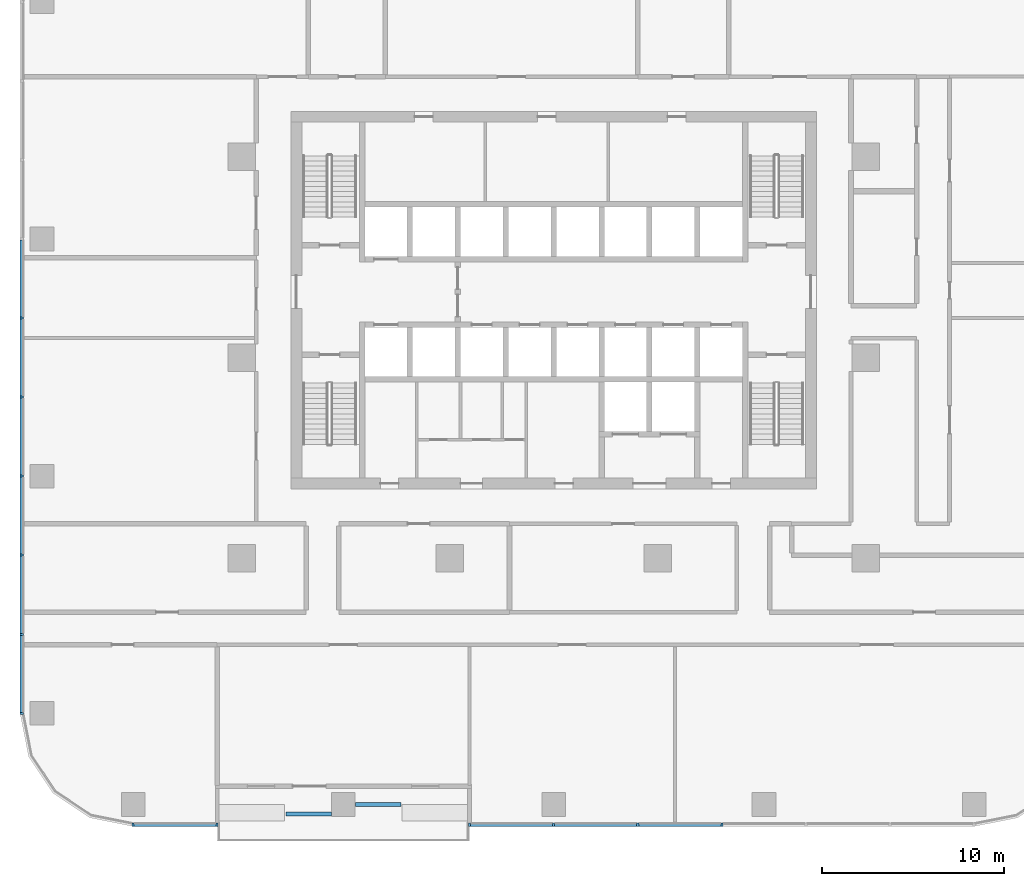
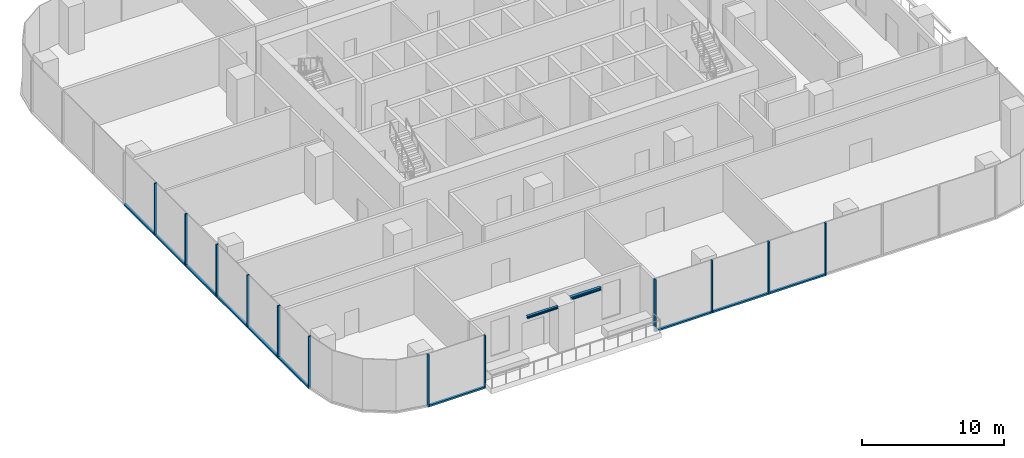
# One storey, part 2 of 14: 22 members, 2 beams, 3 elements without a shape of their own.
"""IFC4 building model written with IfcOpenShell, lengths in metres."""

from ifc_helpers import new_model, si_unit, direction, frame, origin, origin_2d, place, context, subcontext, project, spatial, rectangle, i_section, extrude, material, material_profile, profile_set, type_object, element, aggregate, save


model = new_model("IFC4")

# Units and contexts
model_context = context("Model", 3, precision=1e-05, world=origin(), true_north=direction((0.0, 1.0)))
body_context = subcontext(model_context, "Body", "Model", "MODEL_VIEW")
ifc_project = project(units=[si_unit("LENGTHUNIT", "METRE"), si_unit("AREAUNIT", "SQUARE_METRE"), si_unit("VOLUMEUNIT", "CUBIC_METRE"), si_unit("PLANEANGLEUNIT", "RADIAN"), si_unit("MASSUNIT", "GRAM", prefix="KILO")], contexts=[model_context])

# Site, building, storey
site_placement = place(None, origin())
site = spatial("IfcSite", under=ifc_project, at=site_placement, CompositionType="ELEMENT")
building_placement = place(site_placement, origin())
building = spatial("IfcBuilding", under=site, at=building_placement, Name="Mopane Tessera Tower", CompositionType="ELEMENT")
storey_placement = place(building_placement, frame((0.0, 0.0, 139.60009765625)))
storey = spatial("IfcBuildingStorey", under=building, at=storey_placement, Name="L28", CompositionType="ELEMENT", Elevation=139.60009765625)

# Curtain wall, members
ifc_material_1 = material(Name="Aluminium frame", Category="aluminium")
curtain_wall_type = type_object("IfcCurtainWallType", Name="Lower tower unitised wall", PredefinedType="NOTDEFINED", material=ifc_material_1)
curtain_wall_1_placement = place(storey_placement, origin())
curtain_wall_1 = element("IfcCurtainWall", 1, at=curtain_wall_1_placement, inside=storey, type_object=curtain_wall_type, Name="e:cw:L28:S:0", PredefinedType="NOTDEFINED")
ifc_material_2 = material(Name="Aluminium frame", Category="aluminium")
ifc_material_profile_1 = material_profile(ifc_material_2, rectangle(XDim=0.110107421875, YDim=0.199951171875, at=origin_2d()))
ifc_profile_set_1 = profile_set([ifc_material_profile_1], Name="Aluminium frame")
member_type_1 = type_object("IfcMemberType", Name="Aluminium mullion 110 x 200", PredefinedType="MULLION", material=ifc_profile_set_1)
member_1_placement = place(storey_placement, frame((-23.050048828125, -25.60009765625, -0.4501953125), z_axis=(0.0, 0.0, 1.0), x_axis=(1.0, 0.0, 0.0)))
member_1 = element("IfcMember", 2, at=member_1_placement, type_object=member_type_1, Name="e:cw:L28:S:0:mu0", PredefinedType="MULLION", context=body_context, shape_type="SweptSolid", body=[
    extrude(rectangle(XDim=0.110107421875, YDim=0.199951171875, at=origin_2d()), origin(), (0.0, 0.0, 1.0), 4.5),
])
member_2_placement = place(storey_placement, frame((-18.43994140625, -25.60009765625, -0.4501953125), z_axis=(0.0, 0.0, 1.0), x_axis=(1.0, 0.0, 0.0)))
member_2 = element("IfcMember", 3, at=member_2_placement, type_object=member_type_1, Name="e:cw:L28:S:0:mu1", PredefinedType="MULLION", context=body_context, shape_type="SweptSolid", body=[
    extrude(rectangle(XDim=0.110107421875, YDim=0.199951171875, at=origin_2d()), origin(), (0.0, 0.0, 1.0), 4.5),
])

curtain_wall_2_placement = place(storey_placement, origin())
curtain_wall_2 = element("IfcCurtainWall", 4, at=curtain_wall_2_placement, inside=storey, type_object=curtain_wall_type, Name="e:cw:L28:S:4", PredefinedType="NOTDEFINED")
member_3_placement = place(storey_placement, frame((-4.610107421875, -25.60009765625, -0.4501953125), z_axis=(0.0, 0.0, 1.0), x_axis=(1.0, 0.0, 0.0)))
member_3 = element("IfcMember", 5, at=member_3_placement, type_object=member_type_1, Name="e:cw:L28:S:4:mu4", PredefinedType="MULLION", context=body_context, shape_type="SweptSolid", body=[
    extrude(rectangle(XDim=0.110107421875, YDim=0.199951171875, at=origin_2d()), origin(), (0.0, 0.0, 1.0), 4.5),
])
member_4_placement = place(storey_placement, frame((0.0, -25.60009765625, -0.4501953125), z_axis=(0.0, 0.0, 1.0), x_axis=(1.0, 0.0, 0.0)))
member_4 = element("IfcMember", 6, at=member_4_placement, type_object=member_type_1, Name="e:cw:L28:S:4:mu5", PredefinedType="MULLION", context=body_context, shape_type="SweptSolid", body=[
    extrude(rectangle(XDim=0.110107421875, YDim=0.199951171875, at=origin_2d()), origin(), (0.0, 0.0, 1.0), 4.5),
])
member_5_placement = place(storey_placement, frame((4.610107421875, -25.60009765625, -0.4501953125), z_axis=(0.0, 0.0, 1.0), x_axis=(1.0, 0.0, 0.0)))
member_5 = element("IfcMember", 7, at=member_5_placement, type_object=member_type_1, Name="e:cw:L28:S:4:mu6", PredefinedType="MULLION", context=body_context, shape_type="SweptSolid", body=[
    extrude(rectangle(XDim=0.110107421875, YDim=0.199951171875, at=origin_2d()), origin(), (0.0, 0.0, 1.0), 4.5),
])
member_6_placement = place(storey_placement, frame((9.219970703125, -25.60009765625, -0.4501953125), z_axis=(0.0, 0.0, 1.0), x_axis=(1.0, 0.0, 0.0)))
member_6 = element("IfcMember", 8, at=member_6_placement, type_object=member_type_1, Name="e:cw:L28:S:4:mu7", PredefinedType="MULLION", context=body_context, shape_type="SweptSolid", body=[
    extrude(rectangle(XDim=0.110107421875, YDim=0.199951171875, at=origin_2d()), origin(), (0.0, 0.0, 1.0), 4.5),
])

curtain_wall_3_placement = place(storey_placement, origin())
curtain_wall_3 = element("IfcCurtainWall", 9, at=curtain_wall_3_placement, inside=storey, type_object=curtain_wall_type, Name="e:cw:L28:W:0", PredefinedType="NOTDEFINED")
member_7_placement = place(storey_placement, frame((-29.14990234375, 2.166748046875, -0.4501953125), z_axis=(0.0, 0.0, 1.0), x_axis=(0.0, -1.0, 0.0)))
member_7 = element("IfcMember", 10, at=member_7_placement, type_object=member_type_1, Name="e:cw:L28:W:0:mu4", PredefinedType="MULLION", context=body_context, shape_type="SweptSolid", body=[
    extrude(rectangle(XDim=0.110107421875, YDim=0.199951171875, at=origin_2d()), origin(), (0.0, 0.0, 1.0), 4.5),
])
member_8_placement = place(storey_placement, frame((-29.14990234375, -2.166748046875, -0.4501953125), z_axis=(0.0, 0.0, 1.0), x_axis=(0.0, -1.0, 0.0)))
member_8 = element("IfcMember", 11, at=member_8_placement, type_object=member_type_1, Name="e:cw:L28:W:0:mu5", PredefinedType="MULLION", context=body_context, shape_type="SweptSolid", body=[
    extrude(rectangle(XDim=0.110107421875, YDim=0.199951171875, at=origin_2d()), origin(), (0.0, 0.0, 1.0), 4.5),
])
member_9_placement = place(storey_placement, frame((-29.14990234375, -6.5, -0.4501953125), z_axis=(0.0, 0.0, 1.0), x_axis=(0.0, -1.0, 0.0)))
member_9 = element("IfcMember", 12, at=member_9_placement, type_object=member_type_1, Name="e:cw:L28:W:0:mu6", PredefinedType="MULLION", context=body_context, shape_type="SweptSolid", body=[
    extrude(rectangle(XDim=0.110107421875, YDim=0.199951171875, at=origin_2d()), origin(), (0.0, 0.0, 1.0), 4.5),
])
member_10_placement = place(storey_placement, frame((-29.14990234375, -10.833251953125, -0.4501953125), z_axis=(0.0, 0.0, 1.0), x_axis=(0.0, -1.0, 0.0)))
member_10 = element("IfcMember", 13, at=member_10_placement, type_object=member_type_1, Name="e:cw:L28:W:0:mu7", PredefinedType="MULLION", context=body_context, shape_type="SweptSolid", body=[
    extrude(rectangle(XDim=0.110107421875, YDim=0.199951171875, at=origin_2d()), origin(), (0.0, 0.0, 1.0), 4.5),
])
member_11_placement = place(storey_placement, frame((-29.14990234375, -15.166748046875, -0.4501953125), z_axis=(0.0, 0.0, 1.0), x_axis=(0.0, -1.0, 0.0)))
member_11 = element("IfcMember", 14, at=member_11_placement, type_object=member_type_1, Name="e:cw:L28:W:0:mu8", PredefinedType="MULLION", context=body_context, shape_type="SweptSolid", body=[
    extrude(rectangle(XDim=0.110107421875, YDim=0.199951171875, at=origin_2d()), origin(), (0.0, 0.0, 1.0), 4.5),
])
member_12_placement = place(storey_placement, frame((-29.14990234375, -19.5, -0.4501953125), z_axis=(0.0, 0.0, 1.0), x_axis=(0.0, -1.0, 0.0)))
member_12 = element("IfcMember", 15, at=member_12_placement, type_object=member_type_1, Name="e:cw:L28:W:0:mu9", PredefinedType="MULLION", context=body_context, shape_type="SweptSolid", body=[
    extrude(rectangle(XDim=0.110107421875, YDim=0.199951171875, at=origin_2d()), origin(), (0.0, 0.0, 1.0), 4.5),
])

# Member
ifc_material_3 = material(Name="Aluminium frame", Category="aluminium")
ifc_material_profile_2 = material_profile(ifc_material_3, rectangle(XDim=0.199951171875, YDim=0.139892578125, at=origin_2d()))
ifc_profile_set_2 = profile_set([ifc_material_profile_2], Name="Aluminium frame")
member_type_2 = type_object("IfcMemberType", Name="Aluminium transom 200 x 140", PredefinedType="USERDEFINED", material=ifc_profile_set_2)
member_13_placement = place(storey_placement, frame((-22.9951171875, -25.60009765625, -0.380126953125), z_axis=(1.0, 0.0, 0.0), x_axis=(0.0, 1.0, 0.0)))
member_13 = element("IfcMember", 16, at=member_13_placement, type_object=member_type_2, Name="e:cw:L28:S:0:tr0", ObjectType="TRANSOM", PredefinedType="USERDEFINED", context=body_context, shape_type="SweptSolid", body=[
    extrude(rectangle(XDim=0.199951171875, YDim=0.139892578125, at=origin_2d()), origin(), (0.0, 0.0, 1.0), 4.5),
])

aggregate(curtain_wall_1, [member_1, member_2, member_13])

member_14_placement = place(storey_placement, frame((-4.554931640625, -25.60009765625, -0.380126953125), z_axis=(1.0, 0.0, 0.0), x_axis=(0.0, 1.0, 0.0)))
member_14 = element("IfcMember", 17, at=member_14_placement, type_object=member_type_2, Name="e:cw:L28:S:4:tr4", ObjectType="TRANSOM", PredefinedType="USERDEFINED", context=body_context, shape_type="SweptSolid", body=[
    extrude(rectangle(XDim=0.199951171875, YDim=0.139892578125, at=origin_2d()), origin(), (0.0, 0.0, 1.0), 4.5),
])

member_15_placement = place(storey_placement, frame((0.054931640625, -25.60009765625, -0.380126953125), z_axis=(1.0, 0.0, 0.0), x_axis=(0.0, 1.0, 0.0)))
member_15 = element("IfcMember", 18, at=member_15_placement, type_object=member_type_2, Name="e:cw:L28:S:4:tr5", ObjectType="TRANSOM", PredefinedType="USERDEFINED", context=body_context, shape_type="SweptSolid", body=[
    extrude(rectangle(XDim=0.199951171875, YDim=0.139892578125, at=origin_2d()), origin(), (0.0, 0.0, 1.0), 4.5),
])

member_16_placement = place(storey_placement, frame((4.6650390625, -25.60009765625, -0.380126953125), z_axis=(1.0, 0.0, 0.0), x_axis=(0.0, 1.0, 0.0)))
member_16 = element("IfcMember", 19, at=member_16_placement, type_object=member_type_2, Name="e:cw:L28:S:4:tr6", ObjectType="TRANSOM", PredefinedType="USERDEFINED", context=body_context, shape_type="SweptSolid", body=[
    extrude(rectangle(XDim=0.199951171875, YDim=0.139892578125, at=origin_2d()), origin(), (0.0, 0.0, 1.0), 4.5),
])

aggregate(curtain_wall_2, [member_3, member_4, member_5, member_6, member_14, member_15, member_16])

member_17_placement = place(storey_placement, frame((-29.14990234375, 6.445068359375, -0.380126953125), z_axis=(0.0, -1.0, 0.0), x_axis=(1.0, 0.0, 0.0)))
member_17 = element("IfcMember", 20, at=member_17_placement, type_object=member_type_2, Name="e:cw:L28:W:0:tr3", ObjectType="TRANSOM", PredefinedType="USERDEFINED", context=body_context, shape_type="SweptSolid", body=[
    extrude(rectangle(XDim=0.199951171875, YDim=0.139892578125, at=origin_2d()), origin(), (0.0, 0.0, 1.0), 4.223388671875),
])

member_18_placement = place(storey_placement, frame((-29.14990234375, 2.111572265625, -0.380126953125), z_axis=(0.0, -1.0, 0.0), x_axis=(1.0, 0.0, 0.0)))
member_18 = element("IfcMember", 21, at=member_18_placement, type_object=member_type_2, Name="e:cw:L28:W:0:tr4", ObjectType="TRANSOM", PredefinedType="USERDEFINED", context=body_context, shape_type="SweptSolid", body=[
    extrude(rectangle(XDim=0.199951171875, YDim=0.139892578125, at=origin_2d()), origin(), (0.0, 0.0, 1.0), 4.22314453125),
])

member_19_placement = place(storey_placement, frame((-29.14990234375, -2.2216796875, -0.380126953125), z_axis=(0.0, -1.0, 0.0), x_axis=(1.0, 0.0, 0.0)))
member_19 = element("IfcMember", 22, at=member_19_placement, type_object=member_type_2, Name="e:cw:L28:W:0:tr5", ObjectType="TRANSOM", PredefinedType="USERDEFINED", context=body_context, shape_type="SweptSolid", body=[
    extrude(rectangle(XDim=0.199951171875, YDim=0.139892578125, at=origin_2d()), origin(), (0.0, 0.0, 1.0), 4.223388671875),
])

member_20_placement = place(storey_placement, frame((-29.14990234375, -6.554931640625, -0.380126953125), z_axis=(0.0, -1.0, 0.0), x_axis=(1.0, 0.0, 0.0)))
member_20 = element("IfcMember", 23, at=member_20_placement, type_object=member_type_2, Name="e:cw:L28:W:0:tr6", ObjectType="TRANSOM", PredefinedType="USERDEFINED", context=body_context, shape_type="SweptSolid", body=[
    extrude(rectangle(XDim=0.199951171875, YDim=0.139892578125, at=origin_2d()), origin(), (0.0, 0.0, 1.0), 4.223388671875),
])

member_21_placement = place(storey_placement, frame((-29.14990234375, -10.888427734375, -0.380126953125), z_axis=(0.0, -1.0, 0.0), x_axis=(1.0, 0.0, 0.0)))
member_21 = element("IfcMember", 24, at=member_21_placement, type_object=member_type_2, Name="e:cw:L28:W:0:tr7", ObjectType="TRANSOM", PredefinedType="USERDEFINED", context=body_context, shape_type="SweptSolid", body=[
    extrude(rectangle(XDim=0.199951171875, YDim=0.139892578125, at=origin_2d()), origin(), (0.0, 0.0, 1.0), 4.22314453125),
])

member_22_placement = place(storey_placement, frame((-29.14990234375, -15.2216796875, -0.380126953125), z_axis=(0.0, -1.0, 0.0), x_axis=(1.0, 0.0, 0.0)))
member_22 = element("IfcMember", 25, at=member_22_placement, type_object=member_type_2, Name="e:cw:L28:W:0:tr8", ObjectType="TRANSOM", PredefinedType="USERDEFINED", context=body_context, shape_type="SweptSolid", body=[
    extrude(rectangle(XDim=0.199951171875, YDim=0.139892578125, at=origin_2d()), origin(), (0.0, 0.0, 1.0), 4.223388671875),
])

aggregate(curtain_wall_3, [member_7, member_8, member_9, member_10, member_11, member_12, member_17, member_18, member_19, member_20, member_21, member_22])

# Beams
ifc_material_4 = material(Name="Structural steel S460", Category="steel")
ifc_material_profile_3 = material_profile(ifc_material_4, i_section(OverallWidth=0.239990234375, OverallDepth=0.239990234375, WebThickness=0.010009765625, FlangeThickness=0.01708984375, FilletRadius=0.02099609375, at=origin_2d()))
ifc_profile_set_3 = profile_set([ifc_material_profile_3], Name="Structural steel S460")
beam_type_1 = type_object("IfcBeamType", Name="Terrace spandrel beam HE 240 B", PredefinedType="SPANDREL", material=ifc_profile_set_3)
beam_1_placement = place(storey_placement, frame((-10.871826171875, -24.5, 3.929931640625), z_axis=(1.0, 0.0, 0.0), x_axis=(0.0, 1.0, 0.0)))
element("IfcBeam", 26, at=beam_1_placement, inside=storey, type_object=beam_type_1, Name="Terrace spandrel beam N2 L29", PredefinedType="SPANDREL", context=body_context, shape_type="SweptSolid", body=[
    extrude(i_section(OverallWidth=0.239990234375, OverallDepth=0.239990234375, WebThickness=0.010009765625, FlangeThickness=0.01708984375, FilletRadius=0.02099609375, at=origin_2d()), origin(), (0.0, 0.0, 1.0), 2.5),
])
ifc_material_5 = material(Name="Structural steel S460", Category="steel")
ifc_material_profile_4 = material_profile(ifc_material_5, i_section(OverallWidth=0.199951171875, OverallDepth=0.199951171875, WebThickness=0.009033203125, FlangeThickness=0.014892578125, FilletRadius=0.01806640625, at=origin_2d()))
ifc_profile_set_4 = profile_set([ifc_material_profile_4], Name="Structural steel S460")
beam_type_2 = type_object("IfcBeamType", Name="Terrace trimmer beam HE 200 B", PredefinedType="BEAM", material=ifc_profile_set_4)
beam_2_placement = place(storey_placement, frame((-12.177978515625, -25.02001953125, 3.949951171875), z_axis=(-1.0, 0.0, 0.0), x_axis=(0.0, -1.0, 0.0)))
element("IfcBeam", 27, at=beam_2_placement, inside=storey, type_object=beam_type_2, Name="Terrace trimmer beam N2 L29", PredefinedType="BEAM", context=body_context, shape_type="SweptSolid", body=[
    extrude(i_section(OverallWidth=0.199951171875, OverallDepth=0.199951171875, WebThickness=0.009033203125, FlangeThickness=0.014892578125, FilletRadius=0.01806640625, at=origin_2d()), origin(), (0.0, 0.0, 1.0), 2.5),
])

save(model, "model.ifc")
